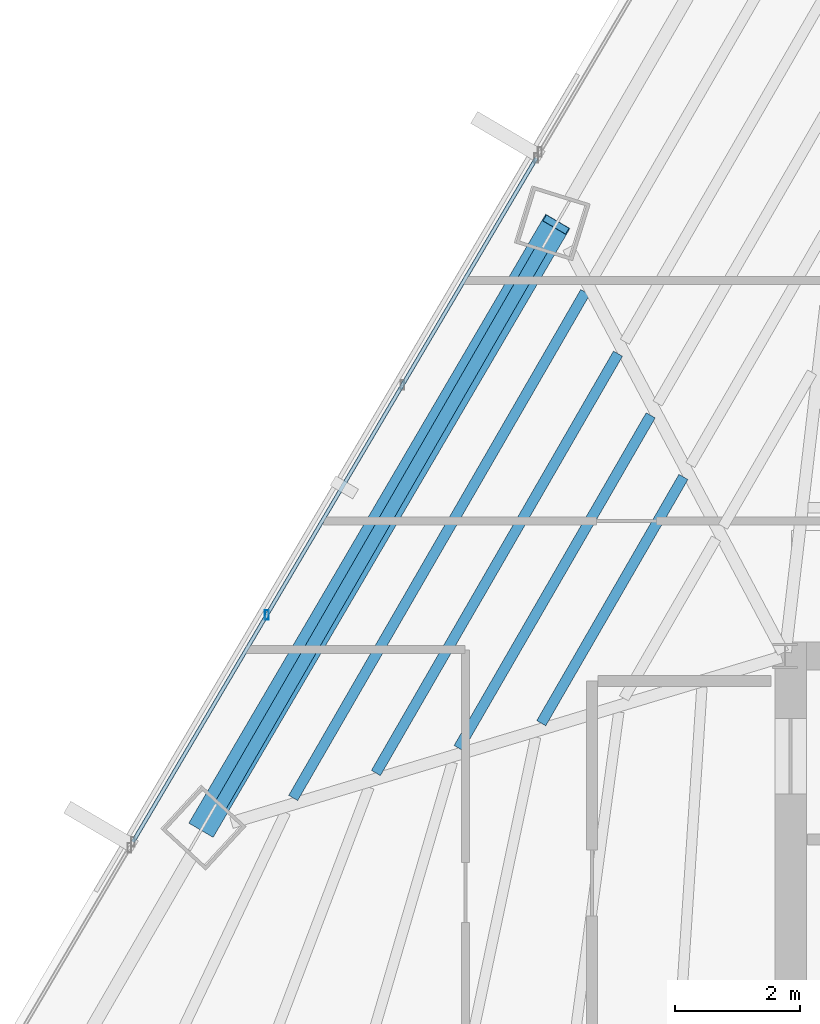
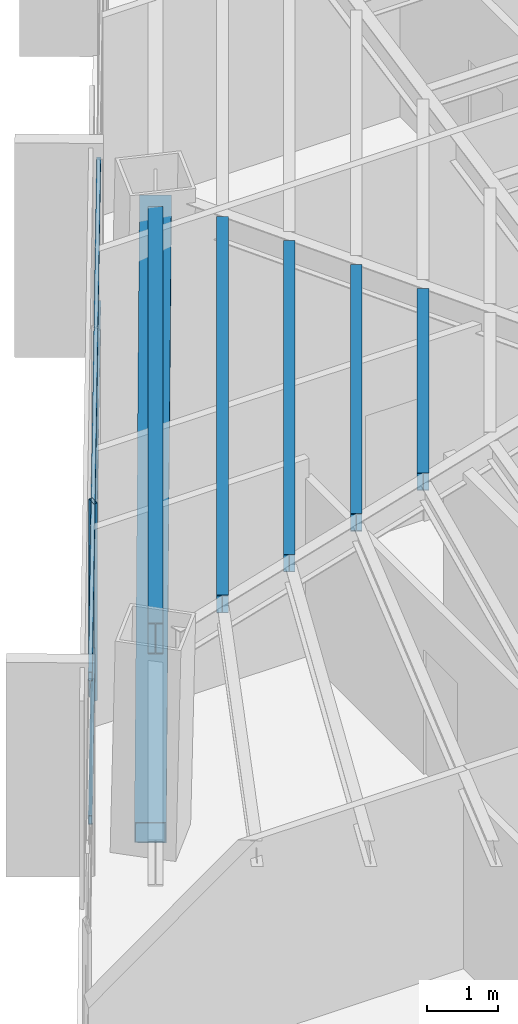
# One storey, part 14 of 41: 5 beams, 4 members, 1 element without a shape of its own.
"""IFC4 building model written with IfcOpenShell, lengths in metres."""

from ifc_helpers import new_model, si_unit, direction, frame, origin, origin_2d, place, context, subcontext, project, spatial, hollow_rectangle, i_section, extrude, source, transform, mapped, material, material_profile, profile_set, type_object, type_shapes, element, aggregate, save


model = new_model("IFC4")

# Units and contexts
model_context = context("Model", 3, precision=1e-05, world=origin(), true_north=direction((0.0, 1.0)))
body_context = subcontext(model_context, "Body", "Model", "MODEL_VIEW")
ifc_project = project(units=[si_unit("LENGTHUNIT", "METRE"), si_unit("AREAUNIT", "SQUARE_METRE"), si_unit("VOLUMEUNIT", "CUBIC_METRE"), si_unit("PLANEANGLEUNIT", "RADIAN"), si_unit("MASSUNIT", "GRAM", prefix="KILO")], contexts=[model_context])

# Site, building, storey
site_placement = place(None, origin())
site = spatial("IfcSite", under=ifc_project, at=site_placement, CompositionType="ELEMENT")
building_placement = place(site_placement, origin())
building = spatial("IfcBuilding", under=site, at=building_placement, Name="Caelisora Broadcast Tower", CompositionType="ELEMENT")
storey_placement = place(building_placement, frame((0.0, 0.0, 180.39990234375)))
storey = spatial("IfcBuildingStorey", under=building, at=storey_placement, Name="L47", CompositionType="ELEMENT", Elevation=180.39990234375)

# Beams
ifc_material_1 = material(Name="Steel Grade 350 (AS/NZS 3679.1)", Category="steel")
ifc_material_profile_1 = material_profile(ifc_material_1, i_section(OverallWidth=0.208984375, OverallDepth=0.532958984375, WebThickness=0.01025390625, FlangeThickness=0.015625, at=origin_2d()), Name="Steel Grade 350 (AS/NZS 3679.1)")
ifc_profile_set_1 = profile_set([ifc_material_profile_1], Name="Steel Grade 350 (AS/NZS 3679.1)")
beam_type_1 = type_object("IfcBeamType", Name="PG05", PredefinedType="BEAM", material=ifc_profile_set_1)
shared_shape_1 = source(origin(), body_context, "Body", "SweptSolid", [
    extrude(i_section(OverallWidth=0.208984375, OverallDepth=0.532958984375, WebThickness=0.01025390625, FlangeThickness=0.015625, at=origin_2d()), origin(), (0.0, 0.0, 1.0), 10.239501953125),
])
type_shapes(beam_type_1, [shared_shape_1])
beam_1_placement = place(storey_placement, frame((26.615966796875, 36.484375, 3.133544921875), z_axis=(-0.500008646395, -0.866020411728, 0.0), x_axis=(0.866020411728, -0.500008646395, 0.0)))
element("IfcBeam", 1, at=beam_1_placement, inside=storey, type_object=beam_type_1, Name="L47 beam PG05", PredefinedType="BEAM", context=body_context, shape_type="MappedRepresentation", body=[
    mapped(shared_shape_1, transform((0.0, 0.0, 0.0), scale=1.0)),
])
ifc_material_profile_2 = material_profile(ifc_material_1, i_section(OverallWidth=0.166015625, OverallDepth=0.30712890625, WebThickness=0.006591796875, FlangeThickness=0.01171875, at=origin_2d()), Name="Steel Grade 350 (AS/NZS 3679.1)")
ifc_profile_set_2 = profile_set([ifc_material_profile_2], Name="Steel Grade 350 (AS/NZS 3679.1)")
beam_type_2 = type_object("IfcBeamType", Name="SB03", PredefinedType="JOIST", material=ifc_profile_set_2)
shared_shape_2 = source(origin(), body_context, "Body", "SweptSolid", [
    extrude(i_section(OverallWidth=0.166015625, OverallDepth=0.30712890625, WebThickness=0.006591796875, FlangeThickness=0.01171875, at=origin_2d()), origin(), (0.0, 0.0, 1.0), 4.53662109375),
])
beam_2_placement = place(storey_placement, frame((28.879150390625, 32.854736328125, 3.24658203125), z_axis=(-0.500011280007, -0.866018891171, 0.0), x_axis=(0.866018891171, -0.500011280007, 0.0)))
element("IfcBeam", 2, at=beam_2_placement, inside=storey, type_object=beam_type_2, Name="L47 beam SB03", PredefinedType="JOIST", context=body_context, shape_type="MappedRepresentation", body=[
    mapped(shared_shape_2, transform((0.0, 0.0, 0.0), scale=1.0)),
])
shared_shape_3 = source(origin(), body_context, "Body", "SweptSolid", [
    extrude(i_section(OverallWidth=0.166015625, OverallDepth=0.30712890625, WebThickness=0.006591796875, FlangeThickness=0.01171875, at=origin_2d()), origin(), (0.0, 0.0, 1.0), 6.130615234375),
])
beam_3_placement = place(storey_placement, frame((28.357177734375, 33.837890625, 3.24658203125), z_axis=(-0.500010862412, -0.866019132277, 0.0), x_axis=(0.866019132277, -0.500010862412, 0.0)))
element("IfcBeam", 3, at=beam_3_placement, inside=storey, type_object=beam_type_2, Name="L47 beam SB03", PredefinedType="JOIST", context=body_context, shape_type="MappedRepresentation", body=[
    mapped(shared_shape_3, transform((0.0, 0.0, 0.0), scale=1.0)),
])
shared_shape_4 = source(origin(), body_context, "Body", "SweptSolid", [
    extrude(i_section(OverallWidth=0.166015625, OverallDepth=0.30712890625, WebThickness=0.006591796875, FlangeThickness=0.01171875, at=origin_2d()), origin(), (0.0, 0.0, 1.0), 7.72509765625),
])
beam_4_placement = place(storey_placement, frame((27.835205078125, 34.8212890625, 3.24658203125), z_axis=(-0.499996932259, -0.866027174938, 0.0), x_axis=(0.866027174938, -0.499996932259, 0.0)))
element("IfcBeam", 4, at=beam_4_placement, inside=storey, type_object=beam_type_2, Name="L47 beam SB03", PredefinedType="JOIST", context=body_context, shape_type="MappedRepresentation", body=[
    mapped(shared_shape_4, transform((0.0, 0.0, 0.0), scale=1.0)),
])
shared_shape_5 = source(origin(), body_context, "Body", "SweptSolid", [
    extrude(i_section(OverallWidth=0.166015625, OverallDepth=0.30712890625, WebThickness=0.006591796875, FlangeThickness=0.01171875, at=origin_2d()), origin(), (0.0, 0.0, 1.0), 9.319091796875),
])
type_shapes(beam_type_2, [shared_shape_2, shared_shape_3, shared_shape_4, shared_shape_5])
beam_5_placement = place(storey_placement, frame((27.31298828125, 35.804443359375, 3.24658203125), z_axis=(-0.500010455845, -0.866019367016, 0.0), x_axis=(0.866019367016, -0.500010455845, 0.0)))
element("IfcBeam", 5, at=beam_5_placement, inside=storey, type_object=beam_type_2, Name="L47 beam SB03", PredefinedType="JOIST", context=body_context, shape_type="MappedRepresentation", body=[
    mapped(shared_shape_5, transform((0.0, 0.0, 0.0), scale=1.0)),
])

# Member
ifc_material_2 = material(Name="Steel Grade 450 (AS/NZS 1163 C450L0)", Category="steel")
ifc_material_profile_3 = material_profile(ifc_material_2, hollow_rectangle(XDim=0.449951171875, YDim=0.449951171875, WallThickness=0.01611328125, at=origin_2d()), Name="Steel Grade 450 (AS/NZS 1163 C450L0)")
ifc_profile_set_3 = profile_set([ifc_material_profile_3], Name="Steel Grade 450 (AS/NZS 1163 C450L0)")
member_type_1 = type_object("IfcMemberType", Name="BR03", PredefinedType="BRACE", material=ifc_profile_set_3)
shared_shape_6 = source(origin(), body_context, "Body", "SweptSolid", [
    extrude(hollow_rectangle(XDim=0.449951171875, YDim=0.449951171875, WallThickness=0.01611328125, at=origin_2d()), origin(), (0.0, 0.0, 1.0), 11.540283203125),
])
type_shapes(member_type_1, [shared_shape_6])
member_1_placement = place(storey_placement, frame((26.845947265625, 36.8828125, 3.10009765625), z_axis=(-0.488225310228, -0.833101339665, -0.259958081813), x_axis=(0.862763223592, -0.505608168463, 0.0)))
element("IfcMember", 6, at=member_1_placement, inside=storey, type_object=member_type_1, Name="L47 perimeter brace BR03", PredefinedType="BRACE", context=body_context, shape_type="MappedRepresentation", body=[
    mapped(shared_shape_6, transform((0.0, 0.0, 0.0), scale=1.0)),
])

# Curtain wall, members
ifc_material_3 = material(Name="Unitised Aluminium Insulated Shadow-Box Spandrel Curtain Wall", Category="aluminium")
curtain_wall_type = type_object("IfcCurtainWallType", Name="CW-SP2", PredefinedType="NOTDEFINED", material=ifc_material_3)
curtain_wall_placement = place(storey_placement, origin())
curtain_wall = element("IfcCurtainWall", 7, at=curtain_wall_placement, inside=storey, type_object=curtain_wall_type, Name="L47 curtain wall CW-SP2", PredefinedType="NOTDEFINED")
ifc_material_4 = material(Name="Aluminium 6063-T6 Anodised Terracotta Bronze", Category="aluminium")
ifc_material_profile_4 = material_profile(ifc_material_4, hollow_rectangle(XDim=0.06005859375, YDim=0.14990234375, WallThickness=0.00341796875, at=origin_2d()), Name="Aluminium 6063-T6 Anodised Terracotta Bronze")
ifc_profile_set_4 = profile_set([ifc_material_profile_4], Name="Aluminium 6063-T6 Anodised Terracotta Bronze")
member_type_2 = type_object("IfcMemberType", Name="CWM-03", PredefinedType="MULLION", material=ifc_profile_set_4)
shared_shape_7 = source(origin(), body_context, "Body", "SweptSolid", [
    extrude(hollow_rectangle(XDim=0.06005859375, YDim=0.14990234375, WallThickness=0.00341796875, at=origin_2d()), origin(), (0.0, 0.0, 1.0), 3.400146484375),
])
type_shapes(member_type_2, [shared_shape_7])
member_2_placement = place(storey_placement, frame((22.2333984375, 30.654541015625, 0.0), z_axis=(0.0, 0.0, 1.0), x_axis=(1.0, 0.0, 0.0)))
member_2 = element("IfcMember", 8, at=member_2_placement, type_object=member_type_2, Name="L47-CW-B10 mullion #1", PredefinedType="MULLION", context=body_context, shape_type="MappedRepresentation", body=[
    mapped(shared_shape_7, transform((0.0, 0.0, 0.0), scale=1.0)),
])
ifc_material_profile_5 = material_profile(ifc_material_4, hollow_rectangle(XDim=0.06005859375, YDim=0.14990234375, WallThickness=0.00341796875, at=origin_2d()), Name="Aluminium 6063-T6 Anodised Terracotta Bronze")
ifc_profile_set_5 = profile_set([ifc_material_profile_5], Name="Aluminium 6063-T6 Anodised Terracotta Bronze")
member_type_3 = type_object("IfcMemberType", Name="CWT-02", PredefinedType="USERDEFINED", material=ifc_profile_set_5)
shared_shape_8 = source(origin(), body_context, "Body", "SweptSolid", [
    extrude(hollow_rectangle(XDim=0.06005859375, YDim=0.14990234375, WallThickness=0.00341796875, at=origin_2d()), origin(), (0.0, 0.0, 1.0), 12.666259765625),
])
type_shapes(member_type_3, [shared_shape_8])
member_3_placement = place(storey_placement, frame((20.0966796875, 27.032470703125, 0.85009765625), z_axis=(0.508103823291, 0.861295828828, 0.0), x_axis=(-0.861295828828, 0.508103823291, 0.0)))
member_3 = element("IfcMember", 9, at=member_3_placement, type_object=member_type_3, Name="L47-CW-B10 transom #1", ObjectType="TRANSOM", PredefinedType="USERDEFINED", context=body_context, shape_type="MappedRepresentation", body=[
    mapped(shared_shape_8, transform((0.0, 0.0, 0.0), scale=1.0)),
])
member_4_placement = place(storey_placement, frame((20.0966796875, 27.032470703125, 3.320068359375), z_axis=(0.508103823291, 0.861295828828, 0.0), x_axis=(-0.861295828828, 0.508103823291, 0.0)))
member_4 = element("IfcMember", 10, at=member_4_placement, type_object=member_type_3, Name="L47-CW-B10 transom #2", ObjectType="TRANSOM", PredefinedType="USERDEFINED", context=body_context, shape_type="MappedRepresentation", body=[
    mapped(shared_shape_8, transform((0.0, 0.0, 0.0), scale=1.0)),
])
aggregate(curtain_wall, [member_2, member_3, member_4])

save(model, "model.ifc")
